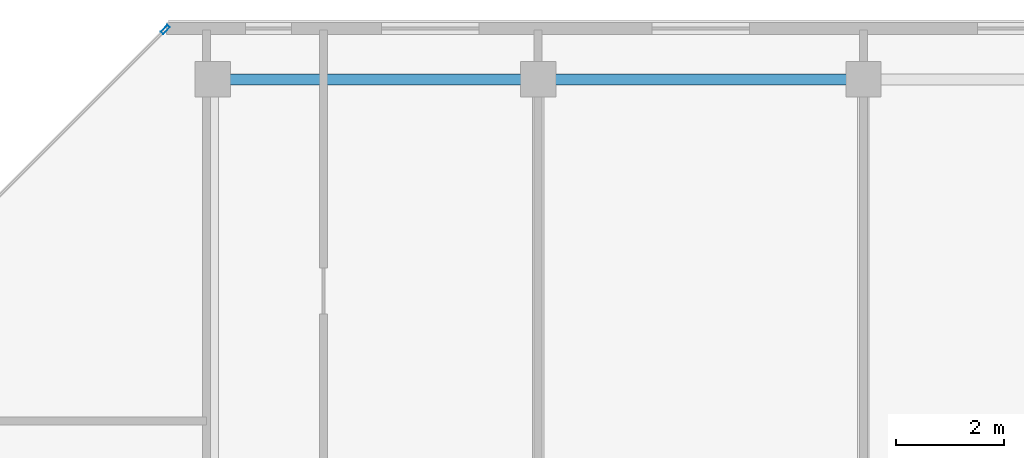
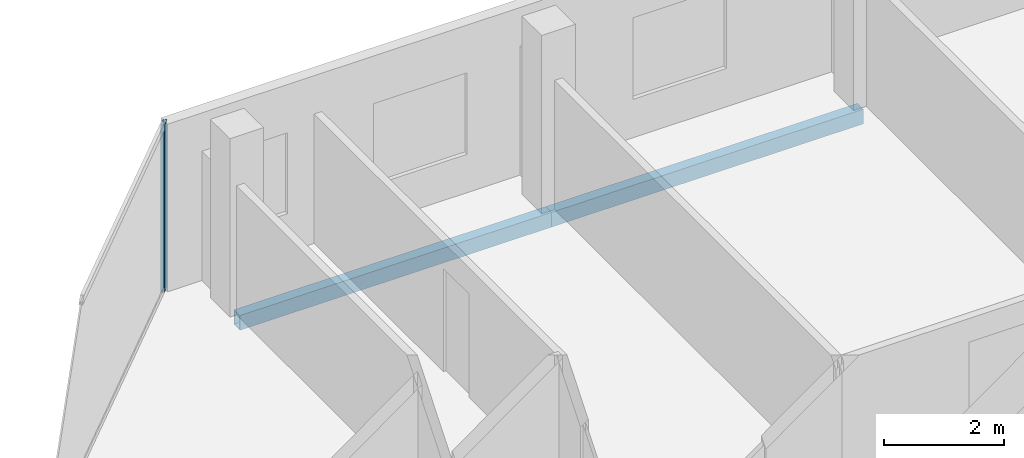
# One storey, part 14 of 28: 2 beams, 1 member, 1 element without a shape of its own.
"""IFC4 building model written with IfcOpenShell, lengths in metres."""

import ifcopenshell
import ifcopenshell.guid

model = None  # the IFC model being written
_history = None  # IfcOwnerHistory: only IFC2X3 demands one
_inside = {}  # id of a spatial element -> (the spatial element, [elements in it])
_under = {}  # id of a project, library or spatial element -> (it, [spatial elements below it])
_declared = {}  # id of a project -> (the project, [libraries it declares])
_typed = {}  # id of a type object -> (the type object, [elements of that type])
_made_of = {}  # id of a material, layer set ... -> (it, [elements and type objects made of it])


def new_model(schema):
    """Start an empty IFC model of exactly this schema.

    Asked for "IFC4X3", IfcOpenShell would pick the latest addendum, in which some entities
    have other attributes; the version numbers below select the first issue.
    IFC2X3 requires an IfcOwnerHistory on every rooted entity: one is made here for all.
    """
    global model, _history
    if schema == "IFC4X3":
        model = ifcopenshell.file(schema_version=(4, 3, 0, 0))
    else:
        model = ifcopenshell.file(schema=schema)
    _inside.clear()
    _under.clear()
    _declared.clear()
    _typed.clear()
    _made_of.clear()
    _history = None
    if model.schema == "IFC2X3":
        org = make("IfcOrganization", Name="unknown")
        user = make(
            "IfcPersonAndOrganization",
            ThePerson=make("IfcPerson", FamilyName="unknown"),
            TheOrganization=org,
        )
        app = make(
            "IfcApplication",
            ApplicationDeveloper=org,
            Version="unknown",
            ApplicationFullName="unknown",
            ApplicationIdentifier="unknown",
        )
        _history = make(
            "IfcOwnerHistory",
            OwningUser=user,
            OwningApplication=app,
            ChangeAction="ADDED",
            CreationDate=0,
        )
    return model


def make(cls, **values):
    """One entity of the class cls with the attributes given. An attribute that is None is left unset."""
    return model.create_entity(
        cls, **{name: value for name, value in values.items() if value is not None}
    )


def rooted(cls, **values):
    """An entity with a GlobalId (a new one), such as an element, a storey or a relation."""
    return make(cls, GlobalId=ifcopenshell.guid.new(), OwnerHistory=_history, **values)


def si_unit(unit_type, name, prefix=None):
    """IfcSIUnit, for example si_unit("LENGTHUNIT", "METRE", prefix="MILLI")."""
    return make("IfcSIUnit", UnitType=unit_type, Prefix=prefix, Name=name)


def assignment(units):
    """IfcUnitAssignment: the units of a project."""
    return None if units is None else make("IfcUnitAssignment", Units=units)


def point(xyz):
    """IfcCartesianPoint."""
    return None if xyz is None else make("IfcCartesianPoint", Coordinates=xyz)


def direction(xyz):
    """IfcDirection."""
    return None if xyz is None else make("IfcDirection", DirectionRatios=xyz)


def frame(location, z_axis=None, x_axis=None):
    """IfcAxis2Placement3D, a coordinate frame: its origin and axes. An axis left out is left unset."""
    return make(
        "IfcAxis2Placement3D",
        Location=point(location),
        Axis=direction(z_axis),
        RefDirection=direction(x_axis),
    )


def frame_2d(location, x_axis=None):
    """IfcAxis2Placement2D, a coordinate frame in the plane: its origin and x axis."""
    return make(
        "IfcAxis2Placement2D", Location=point(location), RefDirection=direction(x_axis)
    )


def origin():
    """The frame at (0, 0, 0) with its axes left unset."""
    return frame((0.0, 0.0, 0.0))


def origin_2d():
    """The frame at (0, 0) in the plane with its x axis left unset."""
    return frame_2d((0.0, 0.0))


def place(relative_to, where):
    """IfcLocalPlacement: puts the frame where relative to a parent placement (None: the world)."""
    return make(
        "IfcLocalPlacement", PlacementRelTo=relative_to, RelativePlacement=where
    )


def context(
    kind, dimensions, precision=None, world=None, true_north=None, identifier=None
):
    """IfcGeometricRepresentationContext, for example the 3D "Model" context."""
    return make(
        "IfcGeometricRepresentationContext",
        ContextIdentifier=identifier,
        ContextType=kind,
        CoordinateSpaceDimension=dimensions,
        Precision=precision,
        WorldCoordinateSystem=world,
        TrueNorth=true_north,
    )


def subcontext(parent, identifier, kind, view, scale=None):
    """IfcGeometricRepresentationSubContext, for example "Body" below "Model"."""
    return make(
        "IfcGeometricRepresentationSubContext",
        ContextIdentifier=identifier,
        ContextType=kind,
        ParentContext=parent,
        TargetScale=scale,
        TargetView=view,
    )


def project(units=None, contexts=None):
    """IfcProject with its units and contexts."""
    return rooted(
        "IfcProject",
        Name="project",
        RepresentationContexts=contexts,
        UnitsInContext=assignment(units),
    )


def spatial(cls, under=None, at=None, **own):
    """A site, building, storey or space (cls), placed at a placement, below another one or the project."""
    s = rooted(cls, ObjectPlacement=at, **own)
    if under is not None:
        _under.setdefault(under.id(), (under, []))[1].append(s)
    return s


def profile(cls, at=None, kind="AREA", **sizes):
    """A parametric profile (cls). Its sizes go by their IFC names, for example OverallWidth=200.0."""
    return make(cls, ProfileType=kind, Position=at, **sizes)


def hollow_rectangle(**sizes):
    """IfcRectangleHollowProfileDef."""
    return profile("IfcRectangleHollowProfileDef", **sizes)


def extrude(swept, where, along, depth):
    """IfcExtrudedAreaSolid: the profile swept, set in the frame where, extruded along a direction by depth."""
    return make(
        "IfcExtrudedAreaSolid",
        SweptArea=swept,
        Position=where,
        ExtrudedDirection=direction(along),
        Depth=depth,
    )


def shape(context_of_items, identifier, shape_type, items):
    """IfcShapeRepresentation: the items that make up one representation, for example the "Body"."""
    return make(
        "IfcShapeRepresentation",
        ContextOfItems=context_of_items,
        RepresentationIdentifier=identifier,
        RepresentationType=shape_type,
        Items=items,
    )


def material(Name=None, Category=None):
    """IfcMaterial."""
    return make("IfcMaterial", Name=Name, Category=Category)


def layer(
    of_material, thickness, ventilated=None, Name=None, Category=None, Priority=None
):
    """IfcMaterialLayer: one layer of a wall or slab, of a material (None: an air gap)."""
    return make(
        "IfcMaterialLayer",
        Material=of_material,
        LayerThickness=thickness,
        IsVentilated=ventilated,
        Name=Name,
        Category=Category,
        Priority=Priority,
    )


def layer_set(layers, Name=None):
    """IfcMaterialLayerSet."""
    return make("IfcMaterialLayerSet", MaterialLayers=layers, LayerSetName=Name)


def material_profile(
    of_material, cross_section, Name=None, Category=None, Priority=None
):
    """IfcMaterialProfile: a cross section and its material."""
    return make(
        "IfcMaterialProfile",
        Name=Name,
        Material=of_material,
        Profile=cross_section,
        Priority=Priority,
        Category=Category,
    )


def profile_set(profiles, Name=None, composite=None):
    """IfcMaterialProfileSet."""
    return make(
        "IfcMaterialProfileSet",
        Name=Name,
        MaterialProfiles=profiles,
        CompositeProfile=composite,
    )


def made_of(thing, what):
    """Note that an element or type object is made of a material, layer set ...; save() writes the relation."""
    if what is not None:
        _made_of.setdefault(what.id(), (what, []))[1].append(thing)
    return thing


def type_object(cls, material=None, **own):
    """A type object (cls), such as IfcWallType, which elements share."""
    return made_of(rooted(cls, **own), material)


def element(
    cls,
    number,
    at=None,
    inside=None,
    cuts=None,
    type_object=None,
    material=None,
    context=None,
    identifier="Body",
    shape_type=None,
    held_by="IfcProductDefinitionShape",
    body=None,
    shapes=None,
    **own,
):
    """One element of the class cls, such as IfcWall. Its Tag is "e" and its number.

    at: its placement. inside: the storey or other place that contains it. cuts: it is an
    opening in that element (IfcRelVoidsElement). A single representation is given by context,
    identifier, shape_type and body (its items); several are given by shapes. held_by: the class
    of the entity that holds the representations. save() writes the other relations.
    """
    e = rooted(cls, Tag="e%d" % number, ObjectPlacement=at, **own)
    if body is not None:
        shapes = [shape(context, identifier, shape_type, body)]
    if shapes is not None:
        e.Representation = make(held_by, Representations=shapes)
    if inside is not None:
        _inside.setdefault(inside.id(), (inside, []))[1].append(e)
    if cuts is not None:
        rooted(
            "IfcRelVoidsElement", RelatingBuildingElement=cuts, RelatedOpeningElement=e
        )
    if type_object is not None:
        _typed.setdefault(type_object.id(), (type_object, []))[1].append(e)
    return made_of(e, material)


def aggregate(whole, parts):
    """IfcRelAggregates: a whole, such as a stair, and the parts it consists of."""
    return rooted("IfcRelAggregates", RelatingObject=whole, RelatedObjects=parts)


def save(model, path):
    """Write the relations noted so far, then the file.

    IfcRelAggregates (storeys below a building ...), IfcRelContainedInSpatialStructure (elements
    in a storey), IfcRelDefinesByType, IfcRelAssociatesMaterial and IfcRelDeclares: one each for
    every whole, place, type object, material and project.
    """
    for whole, parts in _under.values():
        aggregate(whole, parts)
    for where, things in _inside.values():
        rooted(
            "IfcRelContainedInSpatialStructure",
            RelatedElements=things,
            RelatingStructure=where,
        )
    for kind, things in _typed.values():
        rooted("IfcRelDefinesByType", RelatedObjects=things, RelatingType=kind)
    for what, things in _made_of.values():
        rooted("IfcRelAssociatesMaterial", RelatedObjects=things, RelatingMaterial=what)
    for by, libraries in _declared.values():
        rooted("IfcRelDeclares", RelatingContext=by, RelatedDefinitions=libraries)
    model.write(path)


model = new_model("IFC4")

# Units and contexts
model_context = context("Model", 3, precision=1e-05, world=origin(), true_north=direction((0.0, 1.0)))
body_context = subcontext(model_context, "Body", "Model", "MODEL_VIEW")
ifc_project = project(units=[si_unit("LENGTHUNIT", "METRE"), si_unit("AREAUNIT", "SQUARE_METRE"), si_unit("VOLUMEUNIT", "CUBIC_METRE"), si_unit("PLANEANGLEUNIT", "RADIAN"), si_unit("MASSUNIT", "GRAM", prefix="KILO")], contexts=[model_context])

# Site, building, storey
site_placement = place(None, origin())
site = spatial("IfcSite", under=ifc_project, at=site_placement, CompositionType="ELEMENT")
building_placement = place(site_placement, origin())
building = spatial("IfcBuilding", under=site, at=building_placement, Name="Tanjung Sevakor Pilgrim Tower", CompositionType="ELEMENT")
storey_placement = place(building_placement, frame((0.0, 0.0, 246.179931640625)))
storey = spatial("IfcBuildingStorey", under=building, at=storey_placement, Name="L69", CompositionType="ELEMENT", Elevation=246.179931640625)

# Beams
ifc_material_1 = material(Name="Steel S355J2", Category="steel")
ifc_material_profile_1 = material_profile(ifc_material_1, hollow_rectangle(XDim=0.199951171875, YDim=0.300048828125, WallThickness=0.012451171875, at=origin_2d()))
ifc_profile_set_1 = profile_set([ifc_material_profile_1], Name="Steel S355J2")
beam_type = type_object("IfcBeamType", Name="BM-B-SP3-RHS_300x200x12.5", PredefinedType="SPANDREL", material=ifc_profile_set_1)
for number, where, z_axis, x_axis, name in (
    (1, (72.0, 53.949951171875, -0.369873046875), (1.0, 0.0, 0.0), (0.0, 1.0, 0.0), "L69 Spandrel EAST N-02"),
    (2, (78.0, 53.949951171875, -0.369873046875), (1.0, 0.0, 0.0), (0.0, 1.0, 0.0), "L69 Spandrel EAST N-04"),
):
    element("IfcBeam", number, at=place(storey_placement, frame(where, z_axis=z_axis, x_axis=x_axis)), inside=storey, type_object=beam_type, Name=name, PredefinedType="SPANDREL", context=body_context, shape_type="SweptSolid", body=[
        extrude(hollow_rectangle(XDim=0.199951171875, YDim=0.300048828125, WallThickness=0.012451171875, at=origin_2d()), origin(), (0.0, 0.0, 1.0), 6.0),
    ])

# Curtain wall, member
ifc_material_2 = material(Name="Aluminium 6063-T6 and Low-E Glass", Category="aluminium")
ifc_layer = layer(ifc_material_2, 0.179931640625)
ifc_layer_set = layer_set([ifc_layer], Name="CW-SYS-CHAM")
curtain_wall_type = type_object("IfcCurtainWallType", Name="CW-SYS-CHAM", PredefinedType="NOTDEFINED", material=ifc_layer_set)
curtain_wall_placement = place(storey_placement, origin())
curtain_wall = element("IfcCurtainWall", 3, at=curtain_wall_placement, inside=storey, type_object=curtain_wall_type, Name="L69 Curtain Wall CW-CHM-L69-EAST-5", PredefinedType="NOTDEFINED")
ifc_material_3 = material(Name="Aluminium 6063-T6", Category="aluminium")
ifc_material_profile_2 = material_profile(ifc_material_3, hollow_rectangle(XDim=0.06494140625, YDim=0.179931640625, WallThickness=0.00390625, at=origin_2d()))
ifc_profile_set_2 = profile_set([ifc_material_profile_2], Name="Aluminium 6063-T6")
member_type = type_object("IfcMemberType", Name="TYPE-CWM-1", PredefinedType="MULLION", material=ifc_profile_set_2)
member_placement = place(storey_placement, frame((71.12255859375, 54.866943359375, 0.0), z_axis=(0.0, 0.0, 1.0), x_axis=(0.707106781187, -0.707106781187, 0.0)))
member = element("IfcMember", 4, at=member_placement, type_object=member_type, Name="CW-CHM mullion 1", PredefinedType="MULLION", context=body_context, shape_type="SweptSolid", body=[
    extrude(hollow_rectangle(XDim=0.06494140625, YDim=0.179931640625, WallThickness=0.00390625, at=origin_2d()), origin(), (0.0, 0.0, 1.0), 3.41015625),
])
aggregate(curtain_wall, [member])

save(model, "model.ifc")
